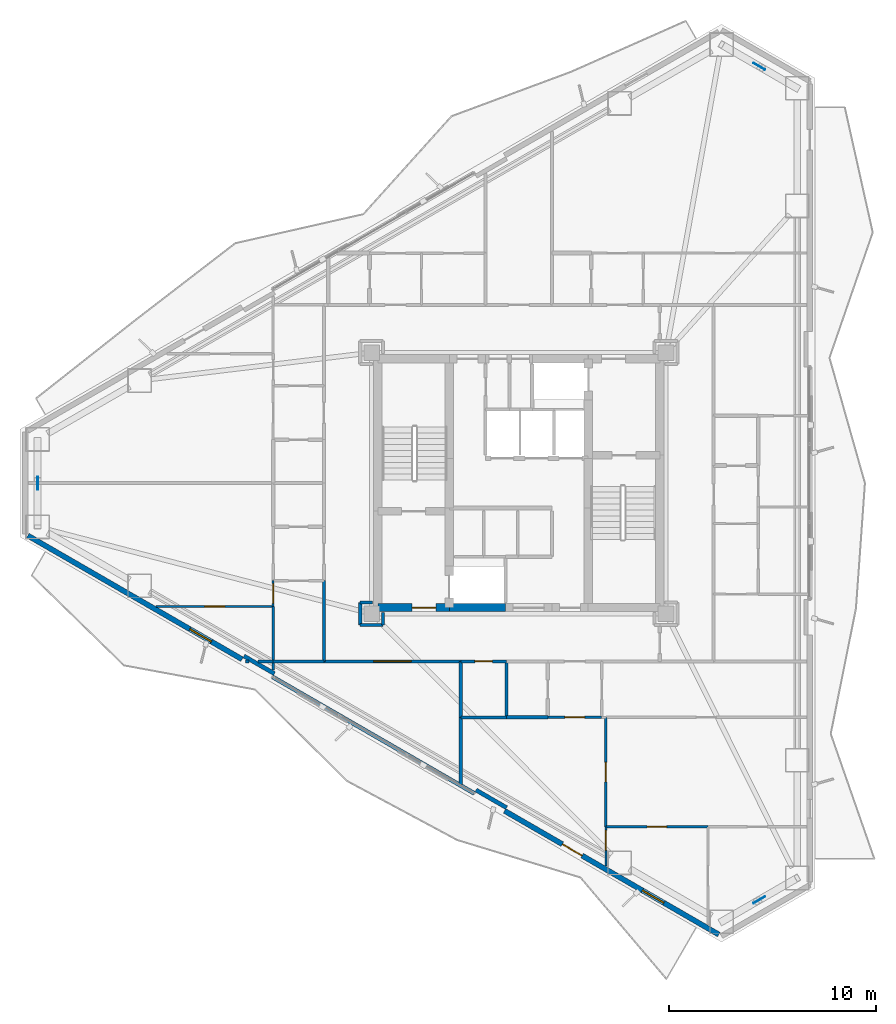
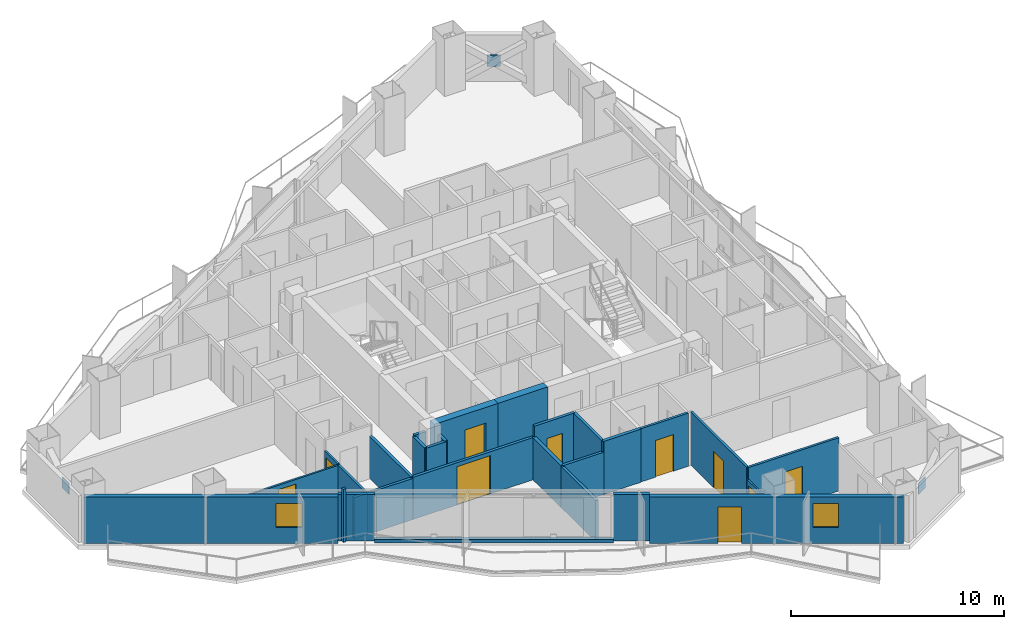
# One storey, part 15 of 23: 29 walls, 10 doors, 3 plates, 2 windows, 12 openings.
"""IFC4 building model written with IfcOpenShell, lengths in metres."""

from ifc_helpers import new_model, si_unit, direction, frame, frame_2d, origin, origin_2d, place, context, subcontext, project, spatial, rectangle, extrude, material, layer, layer_set, type_object, element, fill, save


model = new_model("IFC4")

# Units and contexts
model_context = context("Model", 3, precision=1e-05, world=origin(), true_north=direction((0.0, 1.0)))
body_context = subcontext(model_context, "Body", "Model", "MODEL_VIEW")
ifc_project = project(units=[si_unit("LENGTHUNIT", "METRE"), si_unit("AREAUNIT", "SQUARE_METRE"), si_unit("VOLUMEUNIT", "CUBIC_METRE"), si_unit("PLANEANGLEUNIT", "RADIAN"), si_unit("MASSUNIT", "GRAM", prefix="KILO")], contexts=[model_context])

# Site, building, storey
site_placement = place(None, origin())
site = spatial("IfcSite", under=ifc_project, at=site_placement, CompositionType="ELEMENT")
building_placement = place(site_placement, origin())
building = spatial("IfcBuilding", under=site, at=building_placement, Name="Mersakhor Tower and Convention Hall", CompositionType="ELEMENT")
storey_placement = place(building_placement, frame((0.0, 0.0, 106.5)))
storey = spatial("IfcBuildingStorey", under=building, at=storey_placement, Name="L29", CompositionType="ELEMENT", Elevation=106.5)

# Plates
ifc_material_1 = material(Name="Steel S460", Category="steel")
ifc_layer_1 = layer(ifc_material_1, 0.0400390625)
ifc_layer_set_1 = layer_set([ifc_layer_1], Name="Steel S460")
plate_type = type_object("IfcPlateType", Name="PL-GUSSET-40", PredefinedType="SHEET", material=ifc_layer_set_1)
for number, where, z_axis, x_axis, name in (
    (1, (40.606689453125, 46.853515625, 1.205078125), (0.0, 0.0, 1.0), (-0.866025403784, 0.5, 0.0), "L29 X-Brace Crossing Gusset Node Plate"),
    (2, (40.606689453125, 6.646728515625, 1.205078125), (0.0, 0.0, 1.0), (0.866025403784, 0.5, 0.0), "L29 X-Brace Crossing Gusset Node Plate"),
    (3, (5.78662109375, 26.75, 1.205078125), (0.0, 0.0, 1.0), (0.0, -1.0, 0.0), "L29 X-Brace Crossing Gusset Node Plate"),
):
    element("IfcPlate", number, at=place(storey_placement, frame(where, z_axis=z_axis, x_axis=x_axis)), inside=storey, type_object=plate_type, Name=name, PredefinedType="SHEET", context=body_context, shape_type="SweptSolid", body=[
        extrude(rectangle(XDim=0.639892578125, YDim=0.0400390625, at=origin_2d()), origin(), (0.0, 0.0, 1.0), 0.639892578125),
    ])

# Wall, openings, door, window
ifc_material_2 = material(Name="Precast concrete C40/50", Category="concrete")
ifc_layer_2 = layer(ifc_material_2, 0.25)
ifc_layer_set_2 = layer_set([ifc_layer_2], Name="Precast concrete C40/50")
wall_type_1 = type_object("IfcWallType", Name="WL-EXT-250", PredefinedType="SOLIDWALL", material=ifc_layer_set_2)
wall_1_placement = place(storey_placement, frame((38.648681640625, 4.973388671875, 0.0), z_axis=(0.0, 0.0, 1.0), x_axis=(-0.866023023012, 0.500004123596, 0.0)))
wall_1 = element("IfcWall", 4, at=wall_1_placement, inside=storey, type_object=wall_type_1, Name="L29 Exterior Facade Wall F3-B1", PredefinedType="SOLIDWALL", context=body_context, shape_type="SweptSolid", body=[
    extrude(rectangle(XDim=11.9296875, YDim=0.25, at=frame_2d((5.96484375, 0.0))), origin(), (0.0, 0.0, 1.0), 2.669921875),
])
opening_1_placement = place(wall_1_placement, frame((7.615966796875, 0.0, 0.0)))
opening_1 = element("IfcOpeningElement", 5, at=opening_1_placement, cuts=wall_1, Name="Opening BD-02", PredefinedType="OPENING", context=body_context, shape_type="SweptSolid", body=[
    extrude(rectangle(XDim=1.10009765625, YDim=2.10009765625, at=frame_2d((0.550048828125, 1.050048828125))), frame((0.0, 0.135009765625, 0.0), z_axis=(0.0, -1.0, 0.0), x_axis=(1.0, 0.0, 0.0)), (0.0, 0.0, 1.0), 0.27001953125),
])
opening_2_placement = place(wall_1_placement, frame((3.05908203125, 0.0, 0.89990234375)))
opening_2 = element("IfcOpeningElement", 6, at=opening_2_placement, cuts=wall_1, Name="Opening W-01", PredefinedType="OPENING", context=body_context, shape_type="SweptSolid", body=[
    extrude(rectangle(XDim=1.199951171875, YDim=1.39990234375, at=frame_2d((0.60009765625, 0.699951171875))), frame((0.0, 0.135009765625, 0.0), z_axis=(0.0, -1.0, 0.0), x_axis=(1.0, 0.0, 0.0)), (0.0, 0.0, 1.0), 0.27001953125),
])
ifc_material_3 = material(Name="Thermally broken dark aluminium and safety glass", Category="aluminium")
door_type_1 = type_object("IfcDoorType", Name="DR-BAL-110x210", OperationType="NOTDEFINED", PredefinedType="DOOR", material=ifc_material_3)
door_1_placement = place(opening_1_placement, origin())
door_1 = element("IfcDoor", 7, at=door_1_placement, inside=storey, type_object=door_type_1, Name="L29 Balcony Terrace Door F3-B1", OperationType="SINGLE_SWING_RIGHT", OverallHeight=2.10009765625, OverallWidth=1.10009765625, PredefinedType="DOOR", context=body_context, shape_type="SweptSolid", body=[
    extrude(rectangle(XDim=1.10009765625, YDim=2.10009765625, at=frame_2d((0.550048828125, 1.050048828125))), frame((0.0, 0.02490234375, 0.0), z_axis=(0.0, -1.0, 0.0), x_axis=(1.0, 0.0, 0.0)), (0.0, 0.0, 1.0), 0.050048828125),
])
fill(opening_1, door_1)
ifc_material_4 = material(Name="Dark solar low-E glazed aluminium window", Category="aluminium")
window_type = type_object("IfcWindowType", Name="WN-RES-120x150", PartitioningType="SINGLE_PANEL", PredefinedType="WINDOW", material=ifc_material_4)
window_1_placement = place(opening_2_placement, origin())
window_1 = element("IfcWindow", 8, at=window_1_placement, inside=storey, type_object=window_type, Name="L29 Bedroom Facade Window F3-B1-1", OverallHeight=1.39990234375, OverallWidth=1.199951171875, PartitioningType="SINGLE_PANEL", PredefinedType="WINDOW", context=body_context, shape_type="SweptSolid", body=[
    extrude(rectangle(XDim=1.199951171875, YDim=1.39990234375, at=frame_2d((0.60009765625, 0.699951171875))), frame((0.0, 0.030029296875, 0.0), z_axis=(0.0, -1.0, 0.0), x_axis=(1.0, 0.0, 0.0)), (0.0, 0.0, 1.0), 0.06005859375),
])
fill(opening_2, window_1)

# Wall, opening, window
wall_2_placement = place(storey_placement, frame((15.64794921875, 18.2529296875, 0.0), z_axis=(0.0, 0.0, 1.0), x_axis=(-0.866023023012, 0.500004123596, 0.0)))
wall_2 = element("IfcWall", 9, at=wall_2_placement, inside=storey, type_object=wall_type_1, Name="L29 Exterior Facade Wall F3-B3", PredefinedType="SOLIDWALL", context=body_context, shape_type="SweptSolid", body=[
    extrude(rectangle(XDim=11.9296875, YDim=0.25, at=frame_2d((5.96484375, 0.0))), origin(), (0.0, 0.0, 1.0), 2.669921875),
])
opening_3_placement = place(wall_2_placement, frame((1.7060546875, 0.0, 0.89990234375)))
opening_3 = element("IfcOpeningElement", 10, at=opening_3_placement, cuts=wall_2, Name="Opening W-01", PredefinedType="OPENING", context=body_context, shape_type="SweptSolid", body=[
    extrude(rectangle(XDim=1.199951171875, YDim=1.39990234375, at=frame_2d((0.60009765625, 0.699951171875))), frame((0.0, 0.135009765625, 0.0), z_axis=(0.0, -1.0, 0.0), x_axis=(1.0, 0.0, 0.0)), (0.0, 0.0, 1.0), 0.27001953125),
])
window_2_placement = place(opening_3_placement, origin())
window_2 = element("IfcWindow", 11, at=window_2_placement, inside=storey, type_object=window_type, Name="L29 Bedroom Facade Window F3-B3-1", OverallHeight=1.39990234375, OverallWidth=1.199951171875, PartitioningType="SINGLE_PANEL", PredefinedType="WINDOW", context=body_context, shape_type="SweptSolid", body=[
    extrude(rectangle(XDim=1.199951171875, YDim=1.39990234375, at=frame_2d((0.60009765625, 0.699951171875))), frame((0.0, 0.030029296875, 0.0), z_axis=(0.0, -1.0, 0.0), x_axis=(1.0, 0.0, 0.0)), (0.0, 0.0, 1.0), 0.06005859375),
])
fill(opening_3, window_2)

# Walls
ifc_material_5 = material(Name="Precast concrete C40/50", Category="concrete")
ifc_layer_3 = layer(ifc_material_5, 0.199951171875)
ifc_layer_set_3 = layer_set([ifc_layer_3], Name="Precast concrete C40/50")
wall_type_2 = type_object("IfcWallType", Name="WL-PAR-200", PredefinedType="PARAPET", material=ifc_layer_set_3)
wall_3_placement = place(storey_placement, frame((26.84521484375, 11.788330078125, 0.0), z_axis=(0.0, 0.0, 1.0), x_axis=(-0.866027010039, 0.499997217876, 0.0)))
element("IfcWall", 12, at=wall_3_placement, inside=storey, type_object=wall_type_2, Name="L29 Curtain Wall Upstand Sill F3-B2", PredefinedType="PARAPET", context=body_context, shape_type="SweptSolid", body=[
    extrude(rectangle(XDim=11.2294921875, YDim=0.199951171875, at=frame_2d((5.61474609375, 0.0))), origin(), (0.0, 0.0, 1.0), 0.199951171875),
])
wall_4_placement = place(storey_placement, frame((28.407470703125, 11.09423828125, 0.0), z_axis=(0.0, 0.0, 1.0), x_axis=(-0.86605165483, 0.499954529098, 0.0)))
element("IfcWall", 13, at=wall_4_placement, inside=storey, type_object=wall_type_2, Name="L29 Column Pier Cladding Wall F3-C1", PredefinedType="PARAPET", context=body_context, shape_type="SweptSolid", body=[
    extrude(rectangle(XDim=1.699951171875, YDim=0.199951171875, at=frame_2d((0.85009765625, 0.0))), origin(), (0.0, 0.0, 1.0), 2.669921875),
])
wall_5_placement = place(storey_placement, frame((17.210205078125, 17.558837890625, 0.0), z_axis=(0.0, 0.0, 1.0), x_axis=(-0.866025371046, 0.500000056704, 0.0)))
element("IfcWall", 14, at=wall_5_placement, inside=storey, type_object=wall_type_2, Name="L29 Column Pier Cladding Wall F3-C2", PredefinedType="PARAPET", context=body_context, shape_type="SweptSolid", body=[
    extrude(rectangle(XDim=1.7001953125, YDim=0.199951171875, at=frame_2d((0.85009765625, 0.0))), origin(), (0.0, 0.0, 1.0), 2.669921875),
])
ifc_material_6 = material(Name="Moisture-resistant acoustic drywall studwork", Category="other")
ifc_layer_4 = layer(ifc_material_6, 0.175048828125)
ifc_layer_set_4 = layer_set([ifc_layer_4], Name="Moisture-resistant acoustic drywall studwork")
wall_type_3 = type_object("IfcWallType", Name="WL-PLM-175", PredefinedType="PLUMBINGWALL", material=ifc_layer_set_4)
wall_6_placement = place(storey_placement, frame((26.199951171875, 15.449951171875, 0.0), z_axis=(0.0, 0.0, 1.0), x_axis=(0.0, 1.0, 0.0)))
element("IfcWall", 15, at=wall_6_placement, inside=storey, type_object=wall_type_3, Name="L29 Interior Partition Wall P-085", PredefinedType="PLUMBINGWALL", context=body_context, shape_type="SweptSolid", body=[
    extrude(rectangle(XDim=2.699951171875, YDim=0.175048828125, at=frame_2d((1.35009765625, 0.0))), origin(), (0.0, 0.0, 1.0), 2.4228515625),
])
wall_7_placement = place(storey_placement, frame((30.39990234375, 15.449951171875, 0.0), z_axis=(0.0, 0.0, 1.0), x_axis=(-1.0, 0.0, 0.0)))
element("IfcWall", 16, at=wall_7_placement, inside=storey, type_object=wall_type_3, Name="L29 Interior Partition Wall P-095", PredefinedType="PLUMBINGWALL", context=body_context, shape_type="SweptSolid", body=[
    extrude(rectangle(XDim=2.0, YDim=0.175048828125, at=frame_2d((1.0, 0.0))), origin(), (0.0, 0.0, 1.0), 3.050048828125),
])

# Wall, opening, door
ifc_material_7 = material(Name="Lightweight gypsum partition", Category="other")
ifc_layer_5 = layer(ifc_material_7, 0.10009765625)
ifc_layer_set_5 = layer_set([ifc_layer_5], Name="Lightweight gypsum partition")
wall_type_4 = type_object("IfcWallType", Name="WL-PRT-100", PredefinedType="PARTITIONING", material=ifc_layer_set_5)
wall_8_placement = place(storey_placement, frame((17.14990234375, 20.800048828125, 0.0), z_axis=(0.0, 0.0, 1.0), x_axis=(0.0, 1.0, 0.0)))
wall_8 = element("IfcWall", 17, at=wall_8_placement, inside=storey, type_object=wall_type_4, Name="L29 Interior Partition Wall P-106", PredefinedType="PARTITIONING", context=body_context, shape_type="SweptSolid", body=[
    extrude(rectangle(XDim=1.25, YDim=0.10009765625, at=frame_2d((0.625, 0.0))), origin(), (0.0, 0.0, 1.0), 2.4228515625),
])
opening_4_placement = place(wall_8_placement, frame((0.14990234375, 0.0, 0.0)))
opening_4 = element("IfcOpeningElement", 18, at=opening_4_placement, cuts=wall_8, Name="Opening RD-01", PredefinedType="OPENING", context=body_context, shape_type="SweptSolid", body=[
    extrude(rectangle(XDim=0.949951171875, YDim=2.10009765625, at=frame_2d((0.47509765625, 1.050048828125))), frame((0.0, 0.06005859375, 0.0), z_axis=(0.0, -1.0, 0.0), x_axis=(1.0, 0.0, 0.0)), (0.0, 0.0, 1.0), 0.1201171875),
])
ifc_material_8 = material(Name="Solid-core hardwood leaf in painted steel frame", Category="steel")
door_type_2 = type_object("IfcDoorType", Name="DR-INT-RM-095x210", OperationType="NOTDEFINED", PredefinedType="DOOR", material=ifc_material_8)
door_2_placement = place(opening_4_placement, origin())
door_2 = element("IfcDoor", 19, at=door_2_placement, inside=storey, type_object=door_type_2, Name="L29 L29 Flat W5 Kitchen to L29 Flat W5 Living and Dining Room Door", OperationType="SINGLE_SWING_RIGHT", OverallHeight=2.10009765625, OverallWidth=0.949951171875, PredefinedType="DOOR", context=body_context, shape_type="SweptSolid", body=[
    extrude(rectangle(XDim=0.949951171875, YDim=2.10009765625, at=frame_2d((0.47509765625, 1.050048828125))), frame((0.0, 0.02490234375, 0.0), z_axis=(0.0, -1.0, 0.0), x_axis=(1.0, 0.0, 0.0)), (0.0, 0.0, 1.0), 0.050048828125),
])
fill(opening_4, door_2)

wall_9_placement = place(storey_placement, frame((33.199951171875, 10.169921875, 0.0), z_axis=(0.0, 0.0, 1.0), x_axis=(0.0, -1.0, 0.0)))
wall_9 = element("IfcWall", 20, at=wall_9_placement, inside=storey, type_object=wall_type_4, Name="L29 Interior Partition Wall P-120", PredefinedType="PARTITIONING", context=body_context, shape_type="SweptSolid", body=[
    extrude(rectangle(XDim=1.87841796875, YDim=0.10009765625, at=frame_2d((0.939208984375, 0.0))), origin(), (0.0, 0.0, 1.0), 2.364990234375),
])
opening_5_placement = place(wall_9_placement, frame((0.176025390625, 0.0, 0.0)))
opening_5 = element("IfcOpeningElement", 21, at=opening_5_placement, cuts=wall_9, Name="Opening RD-01", PredefinedType="OPENING", context=body_context, shape_type="SweptSolid", body=[
    extrude(rectangle(XDim=0.949951171875, YDim=2.10009765625, at=frame_2d((0.47509765625, 1.050048828125))), frame((0.0, 0.06005859375, 0.0), z_axis=(0.0, -1.0, 0.0), x_axis=(1.0, 0.0, 0.0)), (0.0, 0.0, 1.0), 0.1201171875),
])
door_3_placement = place(opening_5_placement, origin())
door_3 = element("IfcDoor", 22, at=door_3_placement, inside=storey, type_object=door_type_2, Name="L29 L29 Flat S3 Living and Dining Room to L29 Flat S3 Bedroom 1 Door", OperationType="SINGLE_SWING_RIGHT", OverallHeight=2.10009765625, OverallWidth=0.949951171875, PredefinedType="DOOR", context=body_context, shape_type="SweptSolid", body=[
    extrude(rectangle(XDim=0.949951171875, YDim=2.10009765625, at=frame_2d((0.47509765625, 1.050048828125))), frame((0.0, 0.02490234375, 0.0), z_axis=(0.0, -1.0, 0.0), x_axis=(1.0, 0.0, 0.0)), (0.0, 0.0, 1.0), 0.050048828125),
])
fill(opening_5, door_3)

wall_10_placement = place(storey_placement, frame((17.14990234375, 20.800048828125, 0.0), z_axis=(0.0, 0.0, 1.0), x_axis=(-1.0, 0.0, 0.0)))
wall_10 = element("IfcWall", 23, at=wall_10_placement, inside=storey, type_object=wall_type_4, Name="L29 Interior Partition Wall P-128", PredefinedType="PARTITIONING", context=body_context, shape_type="SweptSolid", body=[
    extrude(rectangle(XDim=5.642578125, YDim=0.10009765625, at=frame_2d((2.8212890625, 0.0))), origin(), (0.0, 0.0, 1.0), 2.364990234375),
])
opening_6_placement = place(wall_10_placement, frame((2.34619140625, 0.0, 0.0)))
opening_6 = element("IfcOpeningElement", 24, at=opening_6_placement, cuts=wall_10, Name="Opening RD-01", PredefinedType="OPENING", context=body_context, shape_type="SweptSolid", body=[
    extrude(rectangle(XDim=0.949951171875, YDim=2.10009765625, at=frame_2d((0.47509765625, 1.050048828125))), frame((0.0, 0.06005859375, 0.0), z_axis=(0.0, -1.0, 0.0), x_axis=(1.0, 0.0, 0.0)), (0.0, 0.0, 1.0), 0.1201171875),
])
door_4_placement = place(opening_6_placement, origin())
door_4 = element("IfcDoor", 25, at=door_4_placement, inside=storey, type_object=door_type_2, Name="L29 L29 Flat W5 Living and Dining Room to L29 Flat W5 Bedroom 1 Door", OperationType="SINGLE_SWING_RIGHT", OverallHeight=2.10009765625, OverallWidth=0.949951171875, PredefinedType="DOOR", context=body_context, shape_type="SweptSolid", body=[
    extrude(rectangle(XDim=0.949951171875, YDim=2.10009765625, at=frame_2d((0.47509765625, 1.050048828125))), frame((0.0, 0.02490234375, 0.0), z_axis=(0.0, -1.0, 0.0), x_axis=(1.0, 0.0, 0.0)), (0.0, 0.0, 1.0), 0.050048828125),
])
fill(opening_6, door_4)

ifc_material_9 = material(Name="Gypsum board acoustic partition", Category="other")
ifc_layer_6 = layer(ifc_material_9, 0.125)
ifc_layer_set_6 = layer_set([ifc_layer_6], Name="Gypsum board acoustic partition")
wall_type_5 = type_object("IfcWallType", Name="WL-PRT-125", PredefinedType="PARTITIONING", material=ifc_layer_set_6)
wall_11_placement = place(storey_placement, frame((33.0, 15.449951171875, 0.0), z_axis=(0.0, 0.0, 1.0), x_axis=(-1.0, 0.0, 0.0)))
wall_11 = element("IfcWall", 26, at=wall_11_placement, inside=storey, type_object=wall_type_5, Name="L29 Interior Partition Wall P-071", PredefinedType="PARTITIONING", context=body_context, shape_type="SweptSolid", body=[
    extrude(rectangle(XDim=2.60009765625, YDim=0.125, at=frame_2d((1.300048828125, 0.0))), origin(), (0.0, 0.0, 1.0), 3.050048828125),
])
opening_7_placement = place(wall_11_placement, frame((0.824951171875, 0.0, 0.0)))
opening_7 = element("IfcOpeningElement", 27, at=opening_7_placement, cuts=wall_11, Name="Opening RD-01", PredefinedType="OPENING", context=body_context, shape_type="SweptSolid", body=[
    extrude(rectangle(XDim=0.949951171875, YDim=2.10009765625, at=frame_2d((0.47509765625, 1.050048828125))), frame((0.0, 0.072509765625, 0.0), z_axis=(0.0, -1.0, 0.0), x_axis=(1.0, 0.0, 0.0)), (0.0, 0.0, 1.0), 0.14501953125),
])
door_5_placement = place(opening_7_placement, origin())
door_5 = element("IfcDoor", 28, at=door_5_placement, inside=storey, type_object=door_type_2, Name="L29 L29 Flat S3 Apartment Hall to L29 Flat S3 Living and Dining Room Door", OperationType="SINGLE_SWING_RIGHT", OverallHeight=2.10009765625, OverallWidth=0.949951171875, PredefinedType="DOOR", context=body_context, shape_type="SweptSolid", body=[
    extrude(rectangle(XDim=0.949951171875, YDim=2.10009765625, at=frame_2d((0.47509765625, 1.050048828125))), frame((0.0, 0.02490234375, 0.0), z_axis=(0.0, -1.0, 0.0), x_axis=(1.0, 0.0, 0.0)), (0.0, 0.0, 1.0), 0.050048828125),
])
fill(opening_7, door_5)

# Wall
wall_12_placement = place(storey_placement, frame((17.14990234375, 17.73681640625, 0.0), z_axis=(0.0, 0.0, 1.0), x_axis=(0.0, 1.0, 0.0)))
element("IfcWall", 29, at=wall_12_placement, inside=storey, type_object=wall_type_5, Name="L29 Interior Partition Wall P-105", PredefinedType="PARTITIONING", context=body_context, shape_type="SweptSolid", body=[
    extrude(rectangle(XDim=3.063232421875, YDim=0.125, at=frame_2d((1.53173828125, 0.0))), origin(), (0.0, 0.0, 1.0), 2.364990234375),
])

# Wall, opening, door
wall_13_placement = place(storey_placement, frame((33.199951171875, 15.449951171875, 0.0), z_axis=(0.0, 0.0, 1.0), x_axis=(0.0, -1.0, 0.0)))
wall_13 = element("IfcWall", 30, at=wall_13_placement, inside=storey, type_object=wall_type_5, Name="L29 Interior Partition Wall P-119", PredefinedType="PARTITIONING", context=body_context, shape_type="SweptSolid", body=[
    extrude(rectangle(XDim=5.280029296875, YDim=0.125, at=frame_2d((2.64013671875, 0.0))), origin(), (0.0, 0.0, 1.0), 3.050048828125),
])
opening_8_placement = place(wall_13_placement, frame((2.1650390625, 0.0, 0.0)))
opening_8 = element("IfcOpeningElement", 31, at=opening_8_placement, cuts=wall_13, Name="Opening RD-01", PredefinedType="OPENING", context=body_context, shape_type="SweptSolid", body=[
    extrude(rectangle(XDim=0.949951171875, YDim=2.10009765625, at=frame_2d((0.47509765625, 1.050048828125))), frame((0.0, 0.072509765625, 0.0), z_axis=(0.0, -1.0, 0.0), x_axis=(1.0, 0.0, 0.0)), (0.0, 0.0, 1.0), 0.14501953125),
])
door_6_placement = place(opening_8_placement, origin())
door_6 = element("IfcDoor", 32, at=door_6_placement, inside=storey, type_object=door_type_2, Name="L29 L29 Flat S3 Living and Dining Room to L29 Flat S3 Dining Room Door", OperationType="SINGLE_SWING_LEFT", OverallHeight=2.10009765625, OverallWidth=0.949951171875, PredefinedType="DOOR", context=body_context, shape_type="SweptSolid", body=[
    extrude(rectangle(XDim=0.949951171875, YDim=2.10009765625, at=frame_2d((0.47509765625, 1.050048828125))), frame((0.0, 0.02490234375, 0.0), z_axis=(0.0, -1.0, 0.0), x_axis=(1.0, 0.0, 0.0)), (0.0, 0.0, 1.0), 0.050048828125),
])
fill(opening_8, door_6)

wall_14_placement = place(storey_placement, frame((33.199951171875, 10.169921875, 0.0), z_axis=(0.0, 0.0, 1.0), x_axis=(1.0, 0.0, 0.0)))
wall_14 = element("IfcWall", 33, at=wall_14_placement, inside=storey, type_object=wall_type_5, Name="L29 Interior Partition Wall P-121", PredefinedType="PARTITIONING", context=body_context, shape_type="SweptSolid", body=[
    extrude(rectangle(XDim=4.920166015625, YDim=0.125, at=frame_2d((2.4599609375, 0.0))), origin(), (0.0, 0.0, 1.0), 3.050048828125),
])
opening_9_placement = place(wall_14_placement, frame((1.985107421875, 0.0, 0.0)))
opening_9 = element("IfcOpeningElement", 34, at=opening_9_placement, cuts=wall_14, Name="Opening RD-01", PredefinedType="OPENING", context=body_context, shape_type="SweptSolid", body=[
    extrude(rectangle(XDim=0.949951171875, YDim=2.10009765625, at=frame_2d((0.47509765625, 1.050048828125))), frame((0.0, 0.072509765625, 0.0), z_axis=(0.0, -1.0, 0.0), x_axis=(1.0, 0.0, 0.0)), (0.0, 0.0, 1.0), 0.14501953125),
])
door_7_placement = place(opening_9_placement, origin())
door_7 = element("IfcDoor", 35, at=door_7_placement, inside=storey, type_object=door_type_2, Name="L29 L29 Flat S3 Bedroom 1 to L29 Flat S3 Dining Room Door", OperationType="SINGLE_SWING_LEFT", OverallHeight=2.10009765625, OverallWidth=0.949951171875, PredefinedType="DOOR", context=body_context, shape_type="SweptSolid", body=[
    extrude(rectangle(XDim=0.949951171875, YDim=2.10009765625, at=frame_2d((0.47509765625, 1.050048828125))), frame((0.0, 0.02490234375, 0.0), z_axis=(0.0, -1.0, 0.0), x_axis=(1.0, 0.0, 0.0)), (0.0, 0.0, 1.0), 0.050048828125),
])
fill(opening_9, door_7)

# Walls
ifc_material_10 = material(Name="Fire-rated gypsum board stud partition", Category="other")
ifc_layer_7 = layer(ifc_material_10, 0.14990234375)
ifc_layer_set_7 = layer_set([ifc_layer_7], Name="Fire-rated gypsum board stud partition")
wall_type_6 = type_object("IfcWallType", Name="WL-PRT-150", PredefinedType="PARTITIONING", material=ifc_layer_set_7)
wall_15_placement = place(storey_placement, frame((21.35009765625, 19.89990234375, 0.0), z_axis=(0.0, 0.0, 1.0), x_axis=(1.0, 0.0, 0.0)))
element("IfcWall", 36, at=wall_15_placement, inside=storey, type_object=wall_type_6, Name="L29 Interior Partition Wall P-019", PredefinedType="PARTITIONING", context=body_context, shape_type="SweptSolid", body=[
    extrude(rectangle(XDim=1.099853515625, YDim=0.14990234375, at=frame_2d((0.5498046875, 0.0))), origin(), (0.0, 0.0, 1.0), 2.4228515625),
])
wall_16_placement = place(storey_placement, frame((22.449951171875, 19.89990234375, 0.0), z_axis=(0.0, 0.0, 1.0), x_axis=(0.0, 1.0, 0.0)))
element("IfcWall", 37, at=wall_16_placement, inside=storey, type_object=wall_type_6, Name="L29 Interior Partition Wall P-020", PredefinedType="PARTITIONING", context=body_context, shape_type="SweptSolid", body=[
    extrude(rectangle(XDim=0.60009765625, YDim=0.14990234375, at=frame_2d((0.300048828125, 0.0))), origin(), (0.0, 0.0, 1.0), 2.4228515625),
])

# Wall, opening, door
wall_17_placement = place(storey_placement, frame((28.39990234375, 18.14990234375, 0.0), z_axis=(0.0, 0.0, 1.0), x_axis=(-1.0, 0.0, 0.0)))
wall_17 = element("IfcWall", 38, at=wall_17_placement, inside=storey, type_object=wall_type_6, Name="L29 Interior Partition Wall P-027", PredefinedType="PARTITIONING", context=body_context, shape_type="SweptSolid", body=[
    extrude(rectangle(XDim=2.199951171875, YDim=0.14990234375, at=frame_2d((1.10009765625, 0.0))), origin(), (0.0, 0.0, 1.0), 3.050048828125),
])
opening_10_placement = place(wall_17_placement, frame((0.675048828125, 0.0, 0.0)))
opening_10 = element("IfcOpeningElement", 39, at=opening_10_placement, cuts=wall_17, Name="Opening SVD-01", PredefinedType="OPENING", context=body_context, shape_type="SweptSolid", body=[
    extrude(rectangle(XDim=0.85009765625, YDim=2.10009765625, at=frame_2d((0.425048828125, 1.050048828125))), frame((0.0, 0.0849609375, 0.0), z_axis=(0.0, -1.0, 0.0), x_axis=(1.0, 0.0, 0.0)), (0.0, 0.0, 1.0), 0.169921875),
])
ifc_material_11 = material(Name="Fire-rated hardwood leaf and painted steel frame", Category="steel")
door_type_3 = type_object("IfcDoorType", Name="DR-INT-SVC-085x210", OperationType="NOTDEFINED", PredefinedType="DOOR", material=ifc_material_11)
door_8_placement = place(opening_10_placement, origin())
door_8 = element("IfcDoor", 40, at=door_8_placement, inside=storey, type_object=door_type_3, Name="L29 Residential Ring Corridor to L29 South Wing Public Toilet WC Door", OperationType="SINGLE_SWING_RIGHT", OverallHeight=2.10009765625, OverallWidth=0.85009765625, PredefinedType="DOOR", context=body_context, shape_type="SweptSolid", body=[
    extrude(rectangle(XDim=0.85009765625, YDim=2.10009765625, at=frame_2d((0.425048828125, 1.050048828125))), frame((0.0, 0.02490234375, 0.0), z_axis=(0.0, -1.0, 0.0), x_axis=(1.0, 0.0, 0.0)), (0.0, 0.0, 1.0), 0.050048828125),
])
fill(opening_10, door_8)

wall_18_placement = place(storey_placement, frame((26.199951171875, 18.14990234375, 0.0), z_axis=(0.0, 0.0, 1.0), x_axis=(-1.0, 0.0, 0.0)))
wall_18 = element("IfcWall", 41, at=wall_18_placement, inside=storey, type_object=wall_type_6, Name="L29 Interior Partition Wall P-028", PredefinedType="PARTITIONING", context=body_context, shape_type="SweptSolid", body=[
    extrude(rectangle(XDim=6.599853515625, YDim=0.14990234375, at=frame_2d((3.2998046875, 0.0))), origin(), (0.0, 0.0, 1.0), 2.4228515625),
])
opening_11_placement = place(wall_18_placement, frame((2.39990234375, 0.0, 0.0)))
opening_11 = element("IfcOpeningElement", 42, at=opening_11_placement, cuts=wall_18, Name="Opening HD-01", PredefinedType="OPENING", context=body_context, shape_type="SweptSolid", body=[
    extrude(rectangle(XDim=1.800048828125, YDim=2.199951171875, at=frame_2d((0.89990234375, 1.10009765625))), frame((0.0, 0.0849609375, 0.0), z_axis=(0.0, -1.0, 0.0), x_axis=(1.0, 0.0, 0.0)), (0.0, 0.0, 1.0), 0.169921875),
])
ifc_material_12 = material(Name="Fire-rated hardwood leaf and painted steel frame", Category="steel")
door_type_4 = type_object("IfcDoorType", Name="DR-INT-HALL-180x220", OperationType="NOTDEFINED", PredefinedType="DOOR", material=ifc_material_12)
door_9_placement = place(opening_11_placement, origin())
door_9 = element("IfcDoor", 43, at=door_9_placement, inside=storey, type_object=door_type_4, Name="L29 Residential Ring Corridor to L29 South Wing Residents Reading Library Door", OperationType="DOUBLE_DOOR_SINGLE_SWING", OverallHeight=2.199951171875, OverallWidth=1.800048828125, PredefinedType="DOOR", context=body_context, shape_type="SweptSolid", body=[
    extrude(rectangle(XDim=1.800048828125, YDim=2.199951171875, at=frame_2d((0.89990234375, 1.10009765625))), frame((0.0, 0.02490234375, 0.0), z_axis=(0.0, -1.0, 0.0), x_axis=(1.0, 0.0, 0.0)), (0.0, 0.0, 1.0), 0.050048828125),
])
fill(opening_11, door_9)

# Walls
wall_19_placement = place(storey_placement, frame((19.60009765625, 18.14990234375, 0.0), z_axis=(0.0, 0.0, 1.0), x_axis=(0.0, 1.0, 0.0)))
element("IfcWall", 44, at=wall_19_placement, inside=storey, type_object=wall_type_6, Name="L29 Interior Partition Wall P-029", PredefinedType="PARTITIONING", context=body_context, shape_type="SweptSolid", body=[
    extrude(rectangle(XDim=3.900146484375, YDim=0.14990234375, at=frame_2d((1.9501953125, 0.0))), origin(), (0.0, 0.0, 1.0), 2.4228515625),
])
wall_20_placement = place(storey_placement, frame((21.949951171875, 21.0, 0.0), z_axis=(0.0, 0.0, 1.0), x_axis=(-1.0, 0.0, 0.0)))
element("IfcWall", 45, at=wall_20_placement, inside=storey, type_object=wall_type_6, Name="L29 Interior Partition Wall P-050", PredefinedType="PARTITIONING", context=body_context, shape_type="SweptSolid", body=[
    extrude(rectangle(XDim=0.599853515625, YDim=0.14990234375, at=frame_2d((0.2998046875, 0.0))), origin(), (0.0, 0.0, 1.0), 2.498291015625),
])
wall_21_placement = place(storey_placement, frame((21.35009765625, 21.0, 0.0), z_axis=(0.0, 0.0, 1.0), x_axis=(0.0, -1.0, 0.0)))
element("IfcWall", 46, at=wall_21_placement, inside=storey, type_object=wall_type_6, Name="L29 Interior Partition Wall P-051", PredefinedType="PARTITIONING", context=body_context, shape_type="SweptSolid", body=[
    extrude(rectangle(XDim=1.10009765625, YDim=0.14990234375, at=frame_2d((0.550048828125, 0.0))), origin(), (0.0, 0.0, 1.0), 2.4228515625),
])
wall_22_placement = place(storey_placement, frame((28.39990234375, 15.449951171875, 0.0), z_axis=(0.0, 0.0, 1.0), x_axis=(-1.0, 0.0, 0.0)))
element("IfcWall", 47, at=wall_22_placement, inside=storey, type_object=wall_type_6, Name="L29 Interior Partition Wall P-084", PredefinedType="PARTITIONING", context=body_context, shape_type="SweptSolid", body=[
    extrude(rectangle(XDim=2.199951171875, YDim=0.14990234375, at=frame_2d((1.10009765625, 0.0))), origin(), (0.0, 0.0, 1.0), 2.4228515625),
])
wall_23_placement = place(storey_placement, frame((28.39990234375, 18.14990234375, 0.0), z_axis=(0.0, 0.0, 1.0), x_axis=(0.0, -1.0, 0.0)))
element("IfcWall", 48, at=wall_23_placement, inside=storey, type_object=wall_type_6, Name="L29 Interior Partition Wall P-086", PredefinedType="PARTITIONING", context=body_context, shape_type="SweptSolid", body=[
    extrude(rectangle(XDim=2.699951171875, YDim=0.14990234375, at=frame_2d((1.35009765625, 0.0))), origin(), (0.0, 0.0, 1.0), 3.050048828125),
])
wall_24_placement = place(storey_placement, frame((19.60009765625, 18.14990234375, 0.0), z_axis=(0.0, 0.0, 1.0), x_axis=(-1.0, 0.0, 0.0)))
element("IfcWall", 49, at=wall_24_placement, inside=storey, type_object=wall_type_6, Name="L29 Interior Partition Wall P-107", PredefinedType="PARTITIONING", context=body_context, shape_type="SweptSolid", body=[
    extrude(rectangle(XDim=2.4501953125, YDim=0.14990234375, at=frame_2d((1.22509765625, 0.0))), origin(), (0.0, 0.0, 1.0), 2.364990234375),
])
wall_25_placement = place(storey_placement, frame((15.826904296875, 18.14990234375, 0.0), z_axis=(0.0, 0.0, 1.0), x_axis=(1.0, 0.0, 0.0)))
element("IfcWall", 50, at=wall_25_placement, inside=storey, type_object=wall_type_6, Name="L29 Interior Partition Wall P-115", PredefinedType="PARTITIONING", context=body_context, shape_type="SweptSolid", body=[
    extrude(rectangle(XDim=0.15478515625, YDim=0.14990234375, at=frame_2d((0.077392578125, 0.0))), origin(), (0.0, 0.0, 1.0), 3.050048828125),
])
wall_26_placement = place(storey_placement, frame((16.411865234375, 18.14990234375, 0.0), z_axis=(0.0, 0.0, 1.0), x_axis=(1.0, 0.0, 0.0)))
element("IfcWall", 51, at=wall_26_placement, inside=storey, type_object=wall_type_6, Name="L29 Interior Partition Wall P-116", PredefinedType="PARTITIONING", context=body_context, shape_type="SweptSolid", body=[
    extrude(rectangle(XDim=0.738037109375, YDim=0.14990234375, at=frame_2d((0.369140625, 0.0))), origin(), (0.0, 0.0, 1.0), 2.364990234375),
])
wall_27_placement = place(storey_placement, frame((26.199951171875, 15.449951171875, 0.0), z_axis=(0.0, 0.0, 1.0), x_axis=(0.0, -1.0, 0.0)))
element("IfcWall", 52, at=wall_27_placement, inside=storey, type_object=wall_type_6, Name="L29 Interior Partition Wall P-117", PredefinedType="PARTITIONING", context=body_context, shape_type="SweptSolid", body=[
    extrude(rectangle(XDim=3.24755859375, YDim=0.14990234375, at=frame_2d((1.623779296875, 0.0))), origin(), (0.0, 0.0, 1.0), 2.364990234375),
])
ifc_material_13 = material(Name="Concrete C60/75", Category="concrete")
ifc_layer_8 = layer(ifc_material_13, 0.39990234375)
ifc_layer_set_8 = layer_set([ifc_layer_8], Name="Concrete C60/75")
wall_type_7 = type_object("IfcWallType", Name="WL-SHR-400", PredefinedType="SHEAR", material=ifc_layer_set_8)
wall_28_placement = place(storey_placement, frame((28.35009765625, 20.75, 0.0), z_axis=(0.0, 0.0, 1.0), x_axis=(-1.0, 0.0, 0.0)))
element("IfcWall", 53, at=wall_28_placement, inside=storey, type_object=wall_type_7, Name="L29 Core Wall CW-S3", PredefinedType="SHEAR", context=body_context, shape_type="SweptSolid", body=[
    extrude(rectangle(XDim=2.7001953125, YDim=0.39990234375, at=frame_2d((1.35009765625, 0.0))), origin(), (0.0, 0.0, 1.0), 3.050048828125),
])

# Wall, opening, door
wall_29_placement = place(storey_placement, frame((25.64990234375, 20.75, 0.0), z_axis=(0.0, 0.0, 1.0), x_axis=(-1.0, 0.0, 0.0)))
wall_29 = element("IfcWall", 54, at=wall_29_placement, inside=storey, type_object=wall_type_7, Name="L29 Core Wall CW-S4", PredefinedType="SHEAR", context=body_context, shape_type="SweptSolid", body=[
    extrude(rectangle(XDim=3.449951171875, YDim=0.39990234375, at=frame_2d((1.72509765625, 0.0))), origin(), (0.0, 0.0, 1.0), 3.050048828125),
])
opening_12_placement = place(wall_29_placement, frame((0.64990234375, 0.0, 0.0)))
opening_12 = element("IfcOpeningElement", 55, at=opening_12_placement, cuts=wall_29, Name="Opening SD-01", PredefinedType="OPENING", context=body_context, shape_type="SweptSolid", body=[
    extrude(rectangle(XDim=1.14990234375, YDim=2.14990234375, at=frame_2d((0.574951171875, 1.074951171875))), frame((0.0, 0.2099609375, 0.0), z_axis=(0.0, -1.0, 0.0), x_axis=(1.0, 0.0, 0.0)), (0.0, 0.0, 1.0), 0.419921875),
])
ifc_material_14 = material(Name="Fire-rated hardwood leaf and painted steel frame", Category="steel")
door_type_5 = type_object("IfcDoorType", Name="DR-INT-STAIR-115x215", OperationType="NOTDEFINED", PredefinedType="DOOR", material=ifc_material_14)
door_10_placement = place(opening_12_placement, origin())
door_10 = element("IfcDoor", 56, at=door_10_placement, inside=storey, type_object=door_type_5, Name="L29 Firefighting Lobby West Fire Door", OperationType="SINGLE_SWING_LEFT", OverallHeight=2.14990234375, OverallWidth=1.14990234375, PredefinedType="DOOR", context=body_context, shape_type="SweptSolid", body=[
    extrude(rectangle(XDim=1.14990234375, YDim=2.14990234375, at=frame_2d((0.574951171875, 1.074951171875))), frame((0.0, 0.02490234375, 0.0), z_axis=(0.0, -1.0, 0.0), x_axis=(1.0, 0.0, 0.0)), (0.0, 0.0, 1.0), 0.050048828125),
])
fill(opening_12, door_10)

save(model, "model.ifc")
